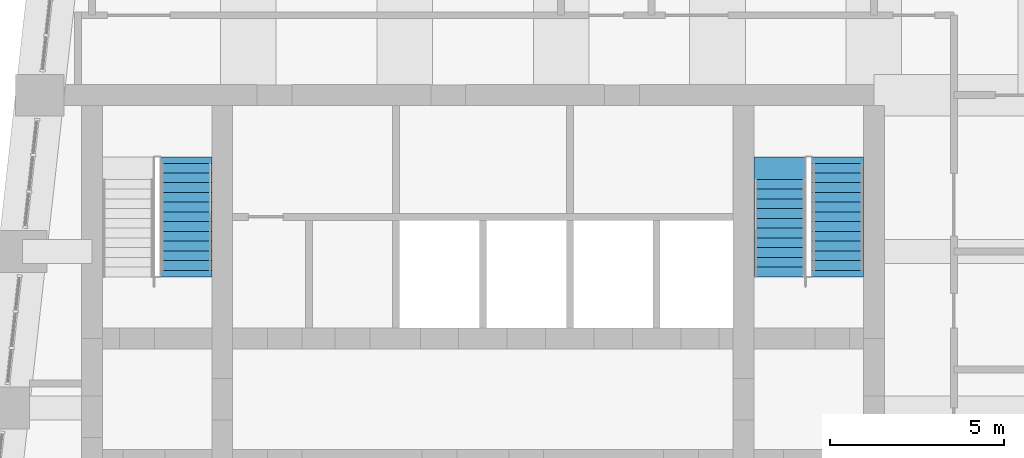
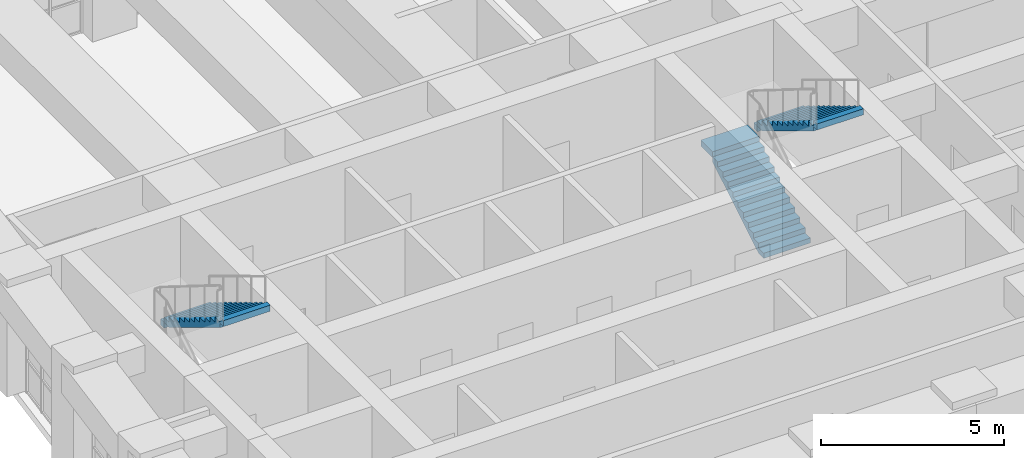
# One storey, part 17 of 18: 3 stair flights, 2 elements without a shape of their own.
"""IFC4 building model written with IfcOpenShell, lengths in metres."""

from ifc_helpers import new_model, si_unit, direction, frame, origin, place, context, subcontext, project, spatial, polyline, outline, extrude, material, type_object, element, aggregate, save


model = new_model("IFC4")

# Units and contexts
model_context = context("Model", 3, precision=1e-05, world=origin(), true_north=direction((0.0, 1.0)))
body_context = subcontext(model_context, "Body", "Model", "MODEL_VIEW")
ifc_project = project(units=[si_unit("LENGTHUNIT", "METRE"), si_unit("AREAUNIT", "SQUARE_METRE"), si_unit("VOLUMEUNIT", "CUBIC_METRE"), si_unit("PLANEANGLEUNIT", "RADIAN"), si_unit("MASSUNIT", "GRAM", prefix="KILO")], contexts=[model_context])

# Site, building, storey
site_placement = place(None, origin())
site = spatial("IfcSite", under=ifc_project, at=site_placement, CompositionType="ELEMENT")
building_placement = place(site_placement, origin())
building = spatial("IfcBuilding", under=site, at=building_placement, Name="Kilele Tower Hotel", CompositionType="ELEMENT")
storey_placement = place(building_placement, frame((0.0, 0.0, 281.89990234375)))
storey = spatial("IfcBuildingStorey", under=building, at=storey_placement, Name="L72", CompositionType="ELEMENT", Elevation=281.89990234375)

# Stair, stair flight
ifc_material_1 = material(Name="Precast concrete C40/50", Category="concrete")
stair_type = type_object("IfcStairType", Name="Stair 1475 x 3900", PredefinedType="HALF_TURN_STAIR", material=ifc_material_1)
stair_1_placement = place(storey_placement, origin())
stair_1 = element("IfcStair", 1, at=stair_1_placement, inside=storey, type_object=stair_type, Name="Stair 1 L72", PredefinedType="HALF_TURN_STAIR")
ifc_material_2 = material(Name="Precast concrete C40/50", Category="concrete")
stair_flight_type = type_object("IfcStairFlightType", Name="Flight 1475 riser 169.6", PredefinedType="STRAIGHT", material=ifc_material_2)
stair_flight_1_placement = place(storey_placement, frame((16.21240234375, 25.0400390625, 1.865234375), z_axis=(0.0, 0.0, 1.0), x_axis=(0.0, -1.0, 0.0)))
stair_flight_1 = element("IfcStairFlight", 2, at=stair_flight_1_placement, type_object=stair_flight_type, Name="ST1 flight 2", NumberOfRisers=12, NumberOfTreads=11, PredefinedType="STRAIGHT", RiserHeight=0.169565217, TreadLength=0.28, context=body_context, shape_type="SweptSolid", body=[
    extrude(outline(polyline([(0.0, 0.0), (0.0, 0.169677734375), (0.280029296875, 0.169677734375), (0.280029296875, 0.339111328125), (0.56005859375, 0.339111328125), (0.56005859375, 0.5087890625), (0.840087890625, 0.5087890625), (0.840087890625, 0.67822265625), (1.1201171875, 0.67822265625), (1.1201171875, 0.847900390625), (1.39990234375, 0.847900390625), (1.39990234375, 1.017333984375), (1.679931640625, 1.017333984375), (1.679931640625, 1.18701171875), (1.9599609375, 1.18701171875), (1.9599609375, 1.3564453125), (2.239990234375, 1.3564453125), (2.239990234375, 1.526123046875), (2.52001953125, 1.526123046875), (2.52001953125, 1.695556640625), (2.800048828125, 1.695556640625), (2.800048828125, 1.865234375), (3.080078125, 1.865234375), (3.080078125, 2.03466796875), (3.080078125, 1.68994140625), (0.289306640625, 0.0), (0.0, 0.0)])), frame((0.0, 0.737548828125, 0.0), z_axis=(0.0, -1.0, 0.0), x_axis=(1.0, 0.0, 0.0)), (0.0, 0.0, 1.0), 1.47509765625),
    extrude(outline(polyline([(0.0, -0.7373046875), (0.0, 0.737548828125), (-0.18505859375, 0.737548828125), (-0.18505859375, -0.7373046875), (0.0, -0.7373046875)])), frame((0.0, 0.0, -0.199951171875)), (0.0, 0.0, 1.0), 0.199951171875),
    extrude(outline(polyline([(3.26513671875, -0.7373046875), (3.26513671875, 0.737548828125), (3.080078125, 0.737548828125), (3.080078125, -0.7373046875), (3.26513671875, -0.7373046875)])), frame((0.0, 0.0, 1.8349609375)), (0.0, 0.0, 1.0), 0.199951171875),
])
aggregate(stair_1, [stair_flight_1])

# Stair, stair flights
stair_2_placement = place(storey_placement, origin())
stair_2 = element("IfcStair", 3, at=stair_2_placement, inside=storey, type_object=stair_type, Name="Stair 2 L72", PredefinedType="HALF_TURN_STAIR")
stair_flight_2_placement = place(storey_placement, frame((33.28759765625, 21.77490234375, 0.0), z_axis=(0.0, 0.0, 1.0), x_axis=(0.0, 1.0, 0.0)))
stair_flight_2 = element("IfcStairFlight", 4, at=stair_flight_2_placement, type_object=stair_flight_type, Name="ST2 flight 1", NumberOfRisers=11, NumberOfTreads=10, PredefinedType="STRAIGHT", RiserHeight=0.169565217, TreadLength=0.28, context=body_context, shape_type="SweptSolid", body=[
    extrude(outline(polyline([(0.0, 0.0), (0.0, 0.169677734375), (0.280029296875, 0.169677734375), (0.280029296875, 0.339111328125), (0.56005859375, 0.339111328125), (0.56005859375, 0.5087890625), (0.840087890625, 0.5087890625), (0.840087890625, 0.67822265625), (1.1201171875, 0.67822265625), (1.1201171875, 0.847900390625), (1.39990234375, 0.847900390625), (1.39990234375, 1.017333984375), (1.679931640625, 1.017333984375), (1.679931640625, 1.18701171875), (1.9599609375, 1.18701171875), (1.9599609375, 1.3564453125), (2.239990234375, 1.3564453125), (2.239990234375, 1.526123046875), (2.52001953125, 1.526123046875), (2.52001953125, 1.695556640625), (2.800048828125, 1.695556640625), (2.800048828125, 1.865234375), (2.800048828125, 1.5205078125), (0.289306640625, 0.0), (0.0, 0.0)])), frame((0.0, 0.737548828125, 0.0), z_axis=(0.0, -1.0, 0.0), x_axis=(1.0, 0.0, 0.0)), (0.0, 0.0, 1.0), 1.47509765625),
    extrude(outline(polyline([(2.800048828125, 0.737548828125), (2.800048828125, -0.7373046875), (3.4501953125, -0.7373046875), (3.4501953125, 0.737548828125), (2.800048828125, 0.737548828125)])), frame((0.0, 0.0, 1.665283203125)), (0.0, 0.0, 1.0), 0.199951171875),
])
stair_flight_3_placement = place(storey_placement, frame((34.96240234375, 25.0400390625, 1.865234375), z_axis=(0.0, 0.0, 1.0), x_axis=(0.0, -1.0, 0.0)))
stair_flight_3 = element("IfcStairFlight", 5, at=stair_flight_3_placement, type_object=stair_flight_type, Name="ST2 flight 2", NumberOfRisers=12, NumberOfTreads=11, PredefinedType="STRAIGHT", RiserHeight=0.169565217, TreadLength=0.28, context=body_context, shape_type="SweptSolid", body=[
    extrude(outline(polyline([(0.0, 0.0), (0.0, 0.169677734375), (0.280029296875, 0.169677734375), (0.280029296875, 0.339111328125), (0.56005859375, 0.339111328125), (0.56005859375, 0.5087890625), (0.840087890625, 0.5087890625), (0.840087890625, 0.67822265625), (1.1201171875, 0.67822265625), (1.1201171875, 0.847900390625), (1.39990234375, 0.847900390625), (1.39990234375, 1.017333984375), (1.679931640625, 1.017333984375), (1.679931640625, 1.18701171875), (1.9599609375, 1.18701171875), (1.9599609375, 1.3564453125), (2.239990234375, 1.3564453125), (2.239990234375, 1.526123046875), (2.52001953125, 1.526123046875), (2.52001953125, 1.695556640625), (2.800048828125, 1.695556640625), (2.800048828125, 1.865234375), (3.080078125, 1.865234375), (3.080078125, 2.03466796875), (3.080078125, 1.68994140625), (0.289306640625, 0.0), (0.0, 0.0)])), frame((0.0, 0.737548828125, 0.0), z_axis=(0.0, -1.0, 0.0), x_axis=(1.0, 0.0, 0.0)), (0.0, 0.0, 1.0), 1.47509765625),
    extrude(outline(polyline([(0.0, -0.7373046875), (0.0, 0.737548828125), (-0.18505859375, 0.737548828125), (-0.18505859375, -0.7373046875), (0.0, -0.7373046875)])), frame((0.0, 0.0, -0.199951171875)), (0.0, 0.0, 1.0), 0.199951171875),
    extrude(outline(polyline([(3.26513671875, -0.7373046875), (3.26513671875, 0.737548828125), (3.080078125, 0.737548828125), (3.080078125, -0.7373046875), (3.26513671875, -0.7373046875)])), frame((0.0, 0.0, 1.8349609375)), (0.0, 0.0, 1.0), 0.199951171875),
])
aggregate(stair_2, [stair_flight_2, stair_flight_3])

save(model, "model.ifc")
